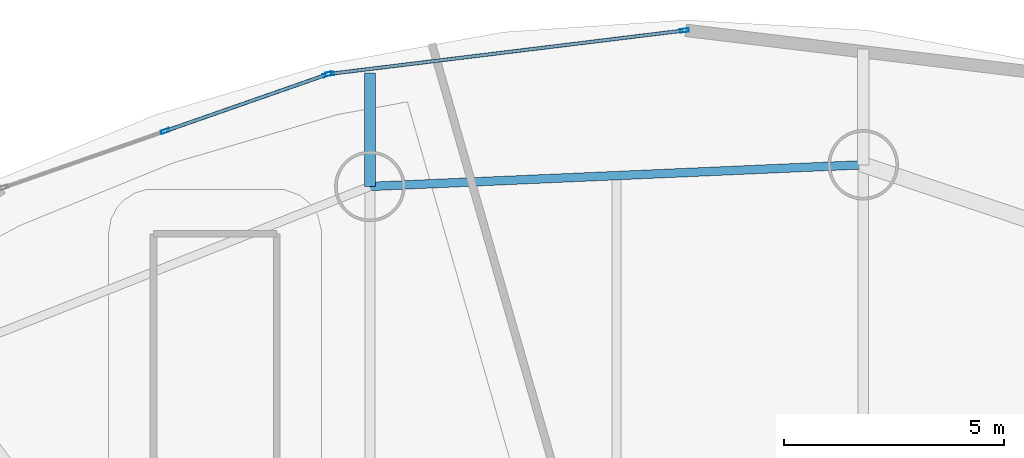
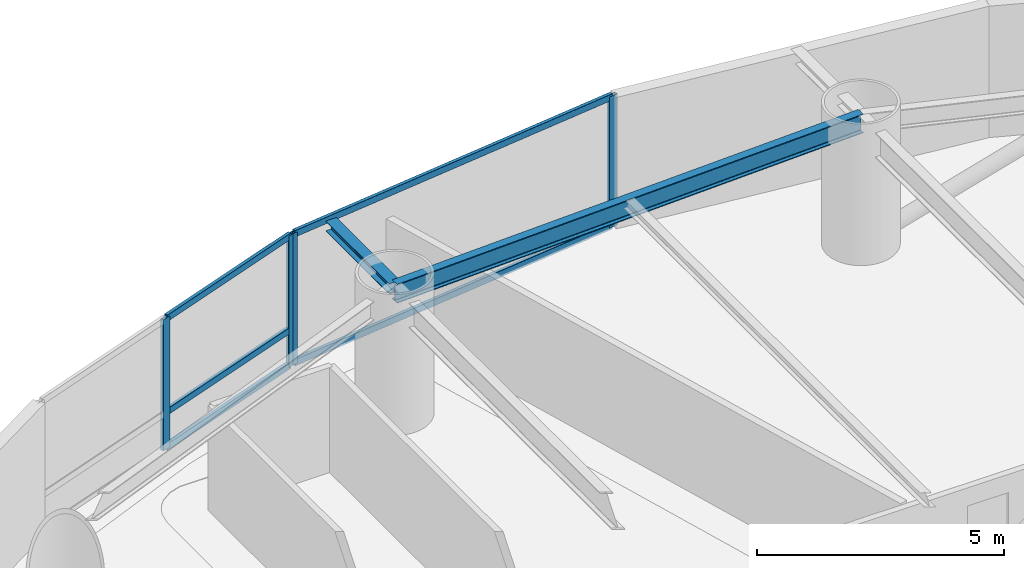
# One storey, part 19 of 30: 9 members, 2 beams, 2 elements without a shape of their own.
"""IFC4 building model written with IfcOpenShell, lengths in metres."""

import ifcopenshell
import ifcopenshell.guid

model = None  # the IFC model being written
_history = None  # IfcOwnerHistory: only IFC2X3 demands one
_inside = {}  # id of a spatial element -> (the spatial element, [elements in it])
_under = {}  # id of a project, library or spatial element -> (it, [spatial elements below it])
_declared = {}  # id of a project -> (the project, [libraries it declares])
_typed = {}  # id of a type object -> (the type object, [elements of that type])
_made_of = {}  # id of a material, layer set ... -> (it, [elements and type objects made of it])


def new_model(schema):
    """Start an empty IFC model of exactly this schema.

    Asked for "IFC4X3", IfcOpenShell would pick the latest addendum, in which some entities
    have other attributes; the version numbers below select the first issue.
    IFC2X3 requires an IfcOwnerHistory on every rooted entity: one is made here for all.
    """
    global model, _history
    if schema == "IFC4X3":
        model = ifcopenshell.file(schema_version=(4, 3, 0, 0))
    else:
        model = ifcopenshell.file(schema=schema)
    _inside.clear()
    _under.clear()
    _declared.clear()
    _typed.clear()
    _made_of.clear()
    _history = None
    if model.schema == "IFC2X3":
        org = make("IfcOrganization", Name="unknown")
        user = make(
            "IfcPersonAndOrganization",
            ThePerson=make("IfcPerson", FamilyName="unknown"),
            TheOrganization=org,
        )
        app = make(
            "IfcApplication",
            ApplicationDeveloper=org,
            Version="unknown",
            ApplicationFullName="unknown",
            ApplicationIdentifier="unknown",
        )
        _history = make(
            "IfcOwnerHistory",
            OwningUser=user,
            OwningApplication=app,
            ChangeAction="ADDED",
            CreationDate=0,
        )
    return model


def make(cls, **values):
    """One entity of the class cls with the attributes given. An attribute that is None is left unset."""
    return model.create_entity(
        cls, **{name: value for name, value in values.items() if value is not None}
    )


def rooted(cls, **values):
    """An entity with a GlobalId (a new one), such as an element, a storey or a relation."""
    return make(cls, GlobalId=ifcopenshell.guid.new(), OwnerHistory=_history, **values)


def si_unit(unit_type, name, prefix=None):
    """IfcSIUnit, for example si_unit("LENGTHUNIT", "METRE", prefix="MILLI")."""
    return make("IfcSIUnit", UnitType=unit_type, Prefix=prefix, Name=name)


def assignment(units):
    """IfcUnitAssignment: the units of a project."""
    return None if units is None else make("IfcUnitAssignment", Units=units)


def point(xyz):
    """IfcCartesianPoint."""
    return None if xyz is None else make("IfcCartesianPoint", Coordinates=xyz)


def direction(xyz):
    """IfcDirection."""
    return None if xyz is None else make("IfcDirection", DirectionRatios=xyz)


def frame(location, z_axis=None, x_axis=None):
    """IfcAxis2Placement3D, a coordinate frame: its origin and axes. An axis left out is left unset."""
    return make(
        "IfcAxis2Placement3D",
        Location=point(location),
        Axis=direction(z_axis),
        RefDirection=direction(x_axis),
    )


def frame_2d(location, x_axis=None):
    """IfcAxis2Placement2D, a coordinate frame in the plane: its origin and x axis."""
    return make(
        "IfcAxis2Placement2D", Location=point(location), RefDirection=direction(x_axis)
    )


def origin():
    """The frame at (0, 0, 0) with its axes left unset."""
    return frame((0.0, 0.0, 0.0))


def origin_2d():
    """The frame at (0, 0) in the plane with its x axis left unset."""
    return frame_2d((0.0, 0.0))


def place(relative_to, where):
    """IfcLocalPlacement: puts the frame where relative to a parent placement (None: the world)."""
    return make(
        "IfcLocalPlacement", PlacementRelTo=relative_to, RelativePlacement=where
    )


def context(
    kind, dimensions, precision=None, world=None, true_north=None, identifier=None
):
    """IfcGeometricRepresentationContext, for example the 3D "Model" context."""
    return make(
        "IfcGeometricRepresentationContext",
        ContextIdentifier=identifier,
        ContextType=kind,
        CoordinateSpaceDimension=dimensions,
        Precision=precision,
        WorldCoordinateSystem=world,
        TrueNorth=true_north,
    )


def subcontext(parent, identifier, kind, view, scale=None):
    """IfcGeometricRepresentationSubContext, for example "Body" below "Model"."""
    return make(
        "IfcGeometricRepresentationSubContext",
        ContextIdentifier=identifier,
        ContextType=kind,
        ParentContext=parent,
        TargetScale=scale,
        TargetView=view,
    )


def project(units=None, contexts=None):
    """IfcProject with its units and contexts."""
    return rooted(
        "IfcProject",
        Name="project",
        RepresentationContexts=contexts,
        UnitsInContext=assignment(units),
    )


def spatial(cls, under=None, at=None, **own):
    """A site, building, storey or space (cls), placed at a placement, below another one or the project."""
    s = rooted(cls, ObjectPlacement=at, **own)
    if under is not None:
        _under.setdefault(under.id(), (under, []))[1].append(s)
    return s


def profile(cls, at=None, kind="AREA", **sizes):
    """A parametric profile (cls). Its sizes go by their IFC names, for example OverallWidth=200.0."""
    return make(cls, ProfileType=kind, Position=at, **sizes)


def hollow_rectangle(**sizes):
    """IfcRectangleHollowProfileDef."""
    return profile("IfcRectangleHollowProfileDef", **sizes)


def i_section(**sizes):
    """IfcIShapeProfileDef."""
    return profile("IfcIShapeProfileDef", **sizes)


def extrude(swept, where, along, depth):
    """IfcExtrudedAreaSolid: the profile swept, set in the frame where, extruded along a direction by depth."""
    return make(
        "IfcExtrudedAreaSolid",
        SweptArea=swept,
        Position=where,
        ExtrudedDirection=direction(along),
        Depth=depth,
    )


def shape(context_of_items, identifier, shape_type, items):
    """IfcShapeRepresentation: the items that make up one representation, for example the "Body"."""
    return make(
        "IfcShapeRepresentation",
        ContextOfItems=context_of_items,
        RepresentationIdentifier=identifier,
        RepresentationType=shape_type,
        Items=items,
    )


def material(Name=None, Category=None):
    """IfcMaterial."""
    return make("IfcMaterial", Name=Name, Category=Category)


def layer(
    of_material, thickness, ventilated=None, Name=None, Category=None, Priority=None
):
    """IfcMaterialLayer: one layer of a wall or slab, of a material (None: an air gap)."""
    return make(
        "IfcMaterialLayer",
        Material=of_material,
        LayerThickness=thickness,
        IsVentilated=ventilated,
        Name=Name,
        Category=Category,
        Priority=Priority,
    )


def layer_set(layers, Name=None):
    """IfcMaterialLayerSet."""
    return make("IfcMaterialLayerSet", MaterialLayers=layers, LayerSetName=Name)


def material_profile(
    of_material, cross_section, Name=None, Category=None, Priority=None
):
    """IfcMaterialProfile: a cross section and its material."""
    return make(
        "IfcMaterialProfile",
        Name=Name,
        Material=of_material,
        Profile=cross_section,
        Priority=Priority,
        Category=Category,
    )


def profile_set(profiles, Name=None, composite=None):
    """IfcMaterialProfileSet."""
    return make(
        "IfcMaterialProfileSet",
        Name=Name,
        MaterialProfiles=profiles,
        CompositeProfile=composite,
    )


def made_of(thing, what):
    """Note that an element or type object is made of a material, layer set ...; save() writes the relation."""
    if what is not None:
        _made_of.setdefault(what.id(), (what, []))[1].append(thing)
    return thing


def type_object(cls, material=None, **own):
    """A type object (cls), such as IfcWallType, which elements share."""
    return made_of(rooted(cls, **own), material)


def element(
    cls,
    number,
    at=None,
    inside=None,
    cuts=None,
    type_object=None,
    material=None,
    context=None,
    identifier="Body",
    shape_type=None,
    held_by="IfcProductDefinitionShape",
    body=None,
    shapes=None,
    **own,
):
    """One element of the class cls, such as IfcWall. Its Tag is "e" and its number.

    at: its placement. inside: the storey or other place that contains it. cuts: it is an
    opening in that element (IfcRelVoidsElement). A single representation is given by context,
    identifier, shape_type and body (its items); several are given by shapes. held_by: the class
    of the entity that holds the representations. save() writes the other relations.
    """
    e = rooted(cls, Tag="e%d" % number, ObjectPlacement=at, **own)
    if body is not None:
        shapes = [shape(context, identifier, shape_type, body)]
    if shapes is not None:
        e.Representation = make(held_by, Representations=shapes)
    if inside is not None:
        _inside.setdefault(inside.id(), (inside, []))[1].append(e)
    if cuts is not None:
        rooted(
            "IfcRelVoidsElement", RelatingBuildingElement=cuts, RelatedOpeningElement=e
        )
    if type_object is not None:
        _typed.setdefault(type_object.id(), (type_object, []))[1].append(e)
    return made_of(e, material)


def aggregate(whole, parts):
    """IfcRelAggregates: a whole, such as a stair, and the parts it consists of."""
    return rooted("IfcRelAggregates", RelatingObject=whole, RelatedObjects=parts)


def save(model, path):
    """Write the relations noted so far, then the file.

    IfcRelAggregates (storeys below a building ...), IfcRelContainedInSpatialStructure (elements
    in a storey), IfcRelDefinesByType, IfcRelAssociatesMaterial and IfcRelDeclares: one each for
    every whole, place, type object, material and project.
    """
    for whole, parts in _under.values():
        aggregate(whole, parts)
    for where, things in _inside.values():
        rooted(
            "IfcRelContainedInSpatialStructure",
            RelatedElements=things,
            RelatingStructure=where,
        )
    for kind, things in _typed.values():
        rooted("IfcRelDefinesByType", RelatedObjects=things, RelatingType=kind)
    for what, things in _made_of.values():
        rooted("IfcRelAssociatesMaterial", RelatedObjects=things, RelatingMaterial=what)
    for by, libraries in _declared.values():
        rooted("IfcRelDeclares", RelatingContext=by, RelatedDefinitions=libraries)
    model.write(path)


model = new_model("IFC4")

# Units and contexts
model_context = context("Model", 3, precision=1e-05, world=origin(), true_north=direction((0.0, 1.0)))
body_context = subcontext(model_context, "Body", "Model", "MODEL_VIEW")
ifc_project = project(units=[si_unit("LENGTHUNIT", "METRE"), si_unit("AREAUNIT", "SQUARE_METRE"), si_unit("VOLUMEUNIT", "CUBIC_METRE"), si_unit("PLANEANGLEUNIT", "RADIAN"), si_unit("MASSUNIT", "GRAM", prefix="KILO")], contexts=[model_context])

# Site, building, storey
site_placement = place(None, origin())
site = spatial("IfcSite", under=ifc_project, at=site_placement, CompositionType="ELEMENT")
building_placement = place(site_placement, origin())
building = spatial("IfcBuilding", under=site, at=building_placement, Name="Bramvorn Convention Spire", CompositionType="ELEMENT")
storey_placement = place(building_placement, frame((0.0, 0.0, 90.39990234375)))
storey = spatial("IfcBuildingStorey", under=building, at=storey_placement, Name="L21", CompositionType="ELEMENT", Elevation=90.39990234375)

# Beams
ifc_material_1 = material(Name="Steel CSA G40.21 Grade 350 (350W)", Category="steel")
ifc_material_profile_1 = material_profile(ifc_material_1, i_section(OverallWidth=0.25390625, OverallDepth=0.2529296875, WebThickness=0.008544921875, FlangeThickness=0.01416015625, FilletRadius=0.011962890625, at=origin_2d()))
ifc_profile_set_1 = profile_set([ifc_material_profile_1], Name="Steel CSA G40.21 Grade 350 (350W) - W250X73")
beam_type_1 = type_object("IfcBeamType", Name="BM-W250X73", PredefinedType="BEAM", material=ifc_profile_set_1)
beam_1_placement = place(storey_placement, frame((29.76220703125, 46.57666015625, 3.12353515625), z_axis=(0.0, 1.0, 0.0), x_axis=(-1.0, 0.0, 0.0)))
element("IfcBeam", 1, at=beam_1_placement, inside=storey, type_object=beam_type_1, Name="L21 slab-edge cantilever tip beam MC06", PredefinedType="BEAM", context=body_context, shape_type="SweptSolid", body=[
    extrude(i_section(OverallWidth=0.25390625, OverallDepth=0.2529296875, WebThickness=0.008544921875, FlangeThickness=0.01416015625, FilletRadius=0.011962890625, at=origin_2d()), origin(), (0.0, 0.0, 1.0), 2.570556640625),
])
ifc_material_profile_2 = material_profile(ifc_material_1, i_section(OverallWidth=0.194091796875, OverallDepth=0.468994140625, WebThickness=0.0126953125, FlangeThickness=0.0205078125, FilletRadius=0.01806640625, at=origin_2d()))
ifc_profile_set_2 = profile_set([ifc_material_profile_2], Name="Steel CSA G40.21 Grade 350 (350W) - W460X106")
beam_type_2 = type_object("IfcBeamType", Name="BM-W460X106", PredefinedType="SPANDREL", material=ifc_profile_set_2)
beam_2_placement = place(storey_placement, frame((40.9609375, 47.06884765625, 3.015625), z_axis=(-0.999035582762, -0.043907907889, 0.0), x_axis=(0.043907907889, -0.999035582762, 0.0)))
element("IfcBeam", 2, at=beam_2_placement, inside=storey, type_object=beam_type_2, Name="L21 mega-column ring beam 05", PredefinedType="SPANDREL", context=body_context, shape_type="SweptSolid", body=[
    extrude(i_section(OverallWidth=0.194091796875, OverallDepth=0.468994140625, WebThickness=0.0126953125, FlangeThickness=0.0205078125, FilletRadius=0.01806640625, at=origin_2d()), origin(), (0.0, 0.0, 1.0), 11.20947265625),
])

# Curtain wall, members
ifc_material_2 = material(Name="Anodised Bronze Unitised Curtain Wall", Category="aluminium")
ifc_layer = layer(ifc_material_2, 0.179931640625)
ifc_layer_set = layer_set([ifc_layer], Name="Anodised Bronze Unitised Curtain Wall - CW-HTL-FRIT")
curtain_wall_type = type_object("IfcCurtainWallType", Name="CW-HTL-FRIT", PredefinedType="USERDEFINED", material=ifc_layer_set)
curtain_wall_1_placement = place(storey_placement, origin())
curtain_wall_1 = element("IfcCurtainWall", 3, at=curtain_wall_1_placement, inside=storey, type_object=curtain_wall_type, Name="L21 fritted glass curtain wall 08", ObjectType="UNITISED CURTAIN WALL", PredefinedType="USERDEFINED")
ifc_material_3 = material(Name="Anodised Bronze Aluminium 6063-T6", Category="aluminium")
ifc_material_profile_3 = material_profile(ifc_material_3, hollow_rectangle(XDim=0.080078125, YDim=0.199951171875, WallThickness=0.00390625, InnerFilletRadius=0.0009765625, OuterFilletRadius=0.00390625, at=origin_2d()))
ifc_profile_set_3 = profile_set([ifc_material_profile_3], Name="Anodised Bronze Aluminium 6063-T6 - CWM80X200")
member_type_1 = type_object("IfcMemberType", Name="CW-MUL-180", PredefinedType="MULLION", material=ifc_profile_set_3)
member_1_placement = place(storey_placement, frame((28.850341796875, 49.1318359375, 0.0), z_axis=(0.0, 0.0, 1.0), x_axis=(-0.121444972421, 0.992598165762, 0.0)))
member_1 = element("IfcMember", 4, at=member_1_placement, type_object=member_type_1, Name="CW2 mullion 1", PredefinedType="MULLION", context=body_context, shape_type="SweptSolid", body=[
    extrude(hollow_rectangle(XDim=0.080078125, YDim=0.199951171875, WallThickness=0.00390625, InnerFilletRadius=0.0009765625, OuterFilletRadius=0.00390625, at=origin_2d()), origin(), (0.0, 0.0, 1.0), 3.25),
])
member_2_placement = place(storey_placement, frame((36.901123046875, 50.11669921875, 0.0), z_axis=(0.0, 0.0, 1.0), x_axis=(-0.121444972421, 0.992598165762, 0.0)))
member_2 = element("IfcMember", 5, at=member_2_placement, type_object=member_type_1, Name="CW2 mullion 2", PredefinedType="MULLION", context=body_context, shape_type="SweptSolid", body=[
    extrude(hollow_rectangle(XDim=0.080078125, YDim=0.199951171875, WallThickness=0.00390625, InnerFilletRadius=0.0009765625, OuterFilletRadius=0.00390625, at=origin_2d()), origin(), (0.0, 0.0, 1.0), 3.25),
])

curtain_wall_2_placement = place(storey_placement, origin())
curtain_wall_2 = element("IfcCurtainWall", 6, at=curtain_wall_2_placement, inside=storey, type_object=curtain_wall_type, Name="L21 fritted glass curtain wall 09", ObjectType="UNITISED CURTAIN WALL", PredefinedType="USERDEFINED")
member_3_placement = place(storey_placement, frame((25.117919921875, 47.833740234375, 0.0), z_axis=(0.0, 0.0, 1.0), x_axis=(-0.329972810015, 0.943990436737, 0.0)))
member_3 = element("IfcMember", 7, at=member_3_placement, type_object=member_type_1, Name="CW2 mullion 2", PredefinedType="MULLION", context=body_context, shape_type="SweptSolid", body=[
    extrude(hollow_rectangle(XDim=0.080078125, YDim=0.199951171875, WallThickness=0.00390625, InnerFilletRadius=0.0009765625, OuterFilletRadius=0.00390625, at=origin_2d()), origin(), (0.0, 0.0, 1.0), 3.25),
])
member_4_placement = place(storey_placement, frame((28.792236328125, 49.1181640625, 0.0), z_axis=(0.0, 0.0, 1.0), x_axis=(-0.329972810015, 0.943990436737, 0.0)))
member_4 = element("IfcMember", 8, at=member_4_placement, type_object=member_type_1, Name="CW2 mullion 3", PredefinedType="MULLION", context=body_context, shape_type="SweptSolid", body=[
    extrude(hollow_rectangle(XDim=0.080078125, YDim=0.199951171875, WallThickness=0.00390625, InnerFilletRadius=0.0009765625, OuterFilletRadius=0.00390625, at=origin_2d()), origin(), (0.0, 0.0, 1.0), 3.25),
])

# Member
ifc_material_profile_4 = material_profile(ifc_material_3, hollow_rectangle(XDim=0.080078125, YDim=0.159912109375, WallThickness=0.00390625, InnerFilletRadius=0.0009765625, OuterFilletRadius=0.00390625, at=origin_2d()))
ifc_profile_set_4 = profile_set([ifc_material_profile_4], Name="Anodised Bronze Aluminium 6063-T6 - CWT80X160")
member_type_2 = type_object("IfcMemberType", Name="CW-TRN-150", PredefinedType="USERDEFINED", material=ifc_profile_set_4)
member_5_placement = place(storey_placement, frame((28.880126953125, 49.135498046875, 0.030029296875), z_axis=(0.992601015195, 0.121421681072, 0.0), x_axis=(-0.121421681072, 0.992601015195, 0.0)))
member_5 = element("IfcMember", 9, at=member_5_placement, type_object=member_type_2, Name="CW2 transom 1.1", ObjectType="TRANSOM", PredefinedType="USERDEFINED", context=body_context, shape_type="SweptSolid", body=[
    extrude(hollow_rectangle(XDim=0.080078125, YDim=0.159912109375, WallThickness=0.00390625, InnerFilletRadius=0.0009765625, OuterFilletRadius=0.00390625, at=origin_2d()), origin(), (0.0, 0.0, 1.0), 8.05078125),
])

member_6_placement = place(storey_placement, frame((28.880126953125, 49.135498046875, 3.22021484375), z_axis=(0.992601015195, 0.121421681072, 0.0), x_axis=(-0.121421681072, 0.992601015195, 0.0)))
member_6 = element("IfcMember", 10, at=member_6_placement, type_object=member_type_2, Name="CW2 transom 1.2", ObjectType="TRANSOM", PredefinedType="USERDEFINED", context=body_context, shape_type="SweptSolid", body=[
    extrude(hollow_rectangle(XDim=0.080078125, YDim=0.159912109375, WallThickness=0.00390625, InnerFilletRadius=0.0009765625, OuterFilletRadius=0.00390625, at=origin_2d()), origin(), (0.0, 0.0, 1.0), 8.05078125),
])

aggregate(curtain_wall_1, [member_1, member_2, member_5, member_6])

member_7_placement = place(storey_placement, frame((25.146240234375, 47.84375, 0.030029296875), z_axis=(0.943983428897, 0.32999285745, 0.0), x_axis=(-0.32999285745, 0.943983428897, 0.0)))
member_7 = element("IfcMember", 11, at=member_7_placement, type_object=member_type_2, Name="CW2 transom 2.1", ObjectType="TRANSOM", PredefinedType="USERDEFINED", context=body_context, shape_type="SweptSolid", body=[
    extrude(hollow_rectangle(XDim=0.080078125, YDim=0.159912109375, WallThickness=0.00390625, InnerFilletRadius=0.0009765625, OuterFilletRadius=0.00390625, at=origin_2d()), origin(), (0.0, 0.0, 1.0), 3.832275390625),
])

member_8_placement = place(storey_placement, frame((25.146240234375, 47.84375, 0.900146484375), z_axis=(0.943983428897, 0.32999285745, 0.0), x_axis=(-0.32999285745, 0.943983428897, 0.0)))
member_8 = element("IfcMember", 12, at=member_8_placement, type_object=member_type_2, Name="CW2 transom 2.2", ObjectType="TRANSOM", PredefinedType="USERDEFINED", context=body_context, shape_type="SweptSolid", body=[
    extrude(hollow_rectangle(XDim=0.080078125, YDim=0.159912109375, WallThickness=0.00390625, InnerFilletRadius=0.0009765625, OuterFilletRadius=0.00390625, at=origin_2d()), origin(), (0.0, 0.0, 1.0), 3.832275390625),
])

member_9_placement = place(storey_placement, frame((25.146240234375, 47.84375, 3.22021484375), z_axis=(0.943983428897, 0.32999285745, 0.0), x_axis=(-0.32999285745, 0.943983428897, 0.0)))
member_9 = element("IfcMember", 13, at=member_9_placement, type_object=member_type_2, Name="CW2 transom 2.3", ObjectType="TRANSOM", PredefinedType="USERDEFINED", context=body_context, shape_type="SweptSolid", body=[
    extrude(hollow_rectangle(XDim=0.080078125, YDim=0.159912109375, WallThickness=0.00390625, InnerFilletRadius=0.0009765625, OuterFilletRadius=0.00390625, at=origin_2d()), origin(), (0.0, 0.0, 1.0), 3.832275390625),
])

aggregate(curtain_wall_2, [member_3, member_4, member_7, member_8, member_9])

save(model, "model.ifc")
